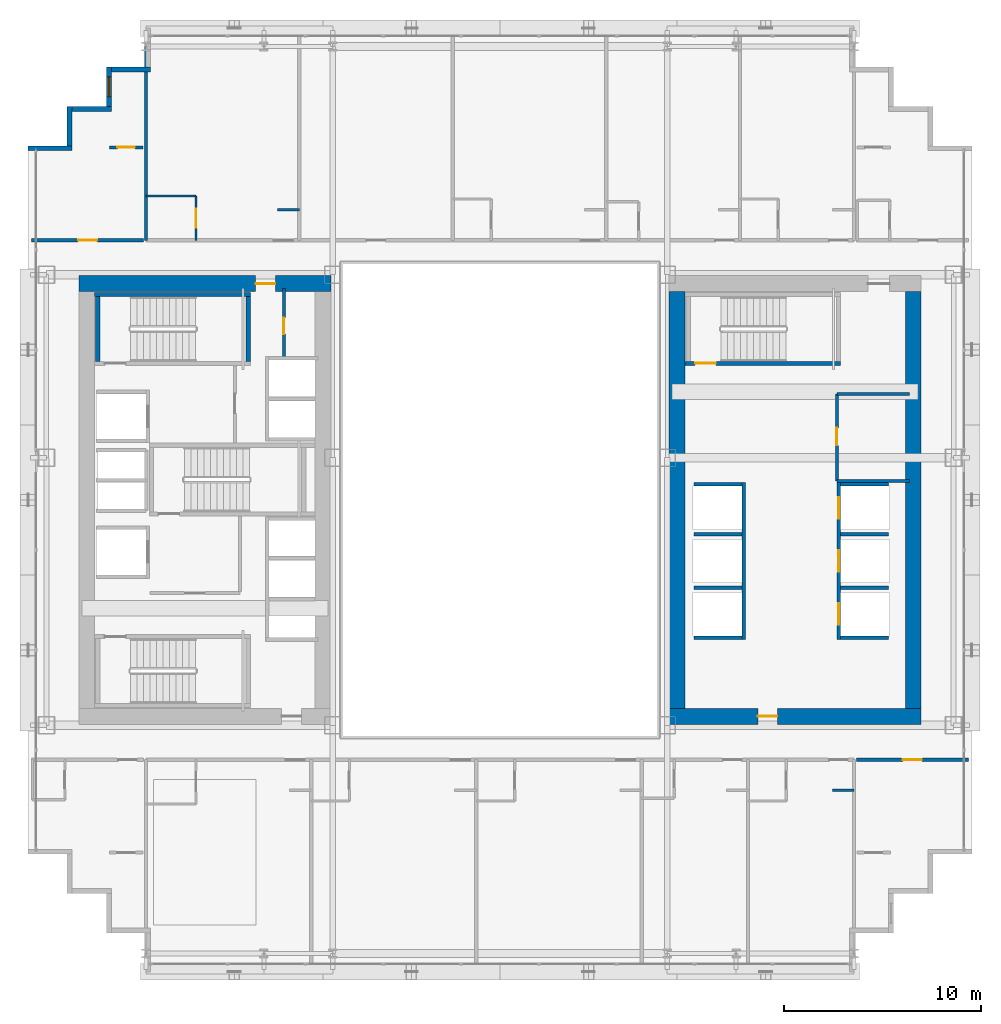
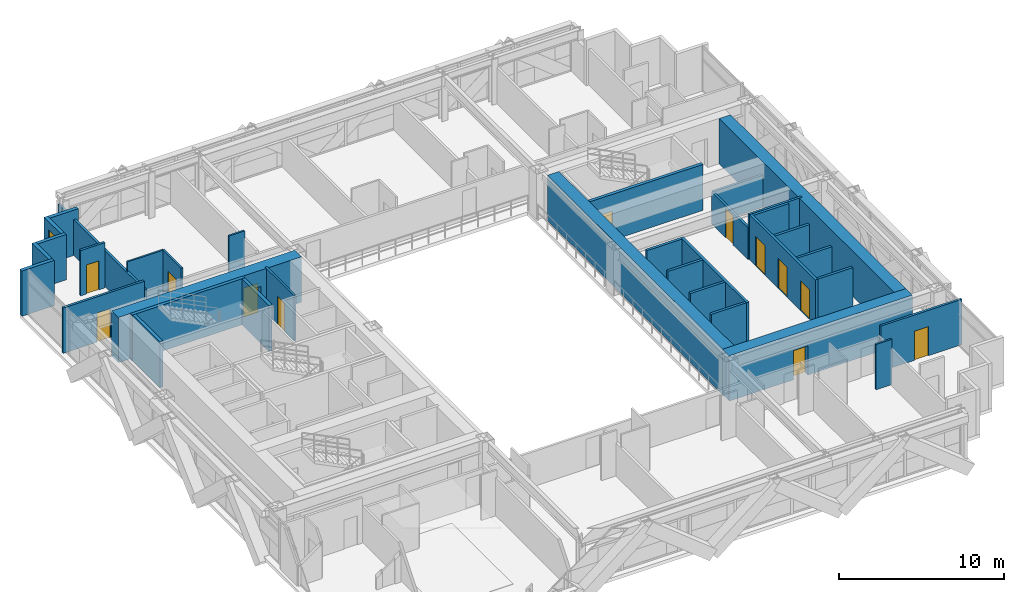
# One storey, part 29 of 35: 35 walls, 12 doors, 1 window, 13 openings.
"""IFC4 building model written with IfcOpenShell, lengths in metres."""

from ifc_helpers import new_model, si_unit, direction, frame, frame_2d, origin, place, context, subcontext, project, spatial, rectangle, extrude, source, transform, mapped, material, layer, layer_set, type_object, element, fill, save


model = new_model("IFC4")

# Units and contexts
model_context = context("Model", 3, precision=1e-05, world=origin(), true_north=direction((0.0, 1.0)))
body_context = subcontext(model_context, "Body", "Model", "MODEL_VIEW")
ifc_project = project(units=[si_unit("LENGTHUNIT", "METRE"), si_unit("AREAUNIT", "SQUARE_METRE"), si_unit("VOLUMEUNIT", "CUBIC_METRE"), si_unit("PLANEANGLEUNIT", "RADIAN"), si_unit("MASSUNIT", "GRAM", prefix="KILO")], contexts=[model_context])

# Site, building, storey
site_placement = place(None, origin())
site = spatial("IfcSite", under=ifc_project, at=site_placement, CompositionType="ELEMENT")
building_placement = place(site_placement, origin())
building = spatial("IfcBuilding", under=site, at=building_placement, Name="Ocotamira Hotel", CompositionType="ELEMENT")
storey_placement = place(building_placement, frame((0.0, 0.0, 56.39990234375)))
storey = spatial("IfcBuildingStorey", under=building, at=storey_placement, Name="L13", CompositionType="ELEMENT", Elevation=56.39990234375)

# Wall, opening, door
ifc_material_1 = material(Name="Concrete C60/75", Category="concrete")
ifc_layer_1 = layer(ifc_material_1, 0.800048828125)
ifc_layer_set_1 = layer_set([ifc_layer_1], Name="Concrete C60/75")
wall_type_1 = type_object("IfcWallType", Name="WL-CORE-800", PredefinedType="SHEAR", material=ifc_layer_set_1)
wall_1_placement = place(storey_placement, frame((10.60009765625, 37.0, 0.0), z_axis=(0.0, 0.0, 1.0), x_axis=(1.0, 0.0, 0.0)))
wall_1 = element("IfcWall", 1, at=wall_1_placement, inside=storey, type_object=wall_type_1, Name="L13 Shear Core Wall WCORE-N", PredefinedType="SHEAR", context=body_context, shape_type="SweptSolid", body=[
    extrude(rectangle(XDim=12.7998046875, YDim=0.800048828125, at=frame_2d((6.39990234375, 0.0))), origin(), (0.0, 0.0, 1.0), 3.35009765625),
])
opening_1_placement = place(wall_1_placement, frame((8.97998046875, 0.0, 0.0)))
opening_1 = element("IfcOpeningElement", 2, at=opening_1_placement, cuts=wall_1, Name="Opening D-FR2", PredefinedType="OPENING", context=body_context, shape_type="SweptSolid", body=[
    extrude(rectangle(XDim=1.0, YDim=2.14990234375, at=frame_2d((0.5, 1.074951171875))), frame((0.0, 0.41015625, 0.0), z_axis=(0.0, -1.0, 0.0), x_axis=(1.0, 0.0, 0.0)), (0.0, 0.0, 1.0), 0.820068359375),
])
ifc_material_2 = material(Name="Fire-rated acoustic timber-veneer door", Category="wood")
door_type_1 = type_object("IfcDoorType", Name="DR-FIRE-1000", OperationType="NOTDEFINED", PredefinedType="DOOR", material=ifc_material_2)
shared_shape_1 = source(origin(), body_context, "Body", "SweptSolid", [
    extrude(rectangle(XDim=1.0, YDim=2.14990234375, at=frame_2d((0.5, 1.074951171875))), frame((0.0, 0.02490234375, 0.0), z_axis=(0.0, -1.0, 0.0), x_axis=(1.0, 0.0, 0.0)), (0.0, 0.0, 1.0), 0.050048828125),
])
door_1_placement = place(opening_1_placement, origin())
door_1 = element("IfcDoor", 3, at=door_1_placement, inside=storey, type_object=door_type_1, Name="L13 Door ID-L13-WLOB-N-D [ID-L13-WLOB-N-D]", OperationType="SINGLE_SWING_RIGHT", OverallHeight=2.14990234375, OverallWidth=1.0, PredefinedType="DOOR", context=body_context, shape_type="MappedRepresentation", body=[
    mapped(shared_shape_1, transform((0.0, 0.0, 0.0), scale=1.0)),
])
fill(opening_1, door_1)

wall_2_placement = place(storey_placement, frame((40.60009765625, 15.0, 0.0), z_axis=(0.0, 0.0, 1.0), x_axis=(1.0, 0.0, 0.0)))
wall_2 = element("IfcWall", 4, at=wall_2_placement, inside=storey, type_object=wall_type_1, Name="L13 Shear Core Wall ECORE-S", PredefinedType="SHEAR", context=body_context, shape_type="SweptSolid", body=[
    extrude(rectangle(XDim=12.7998046875, YDim=0.800048828125, at=frame_2d((6.39990234375, 0.0))), origin(), (0.0, 0.0, 1.0), 3.35009765625),
])
opening_2_placement = place(wall_2_placement, frame((4.5, 0.0, 0.0)))
opening_2 = element("IfcOpeningElement", 5, at=opening_2_placement, cuts=wall_2, Name="Opening D-FR2", PredefinedType="OPENING", context=body_context, shape_type="SweptSolid", body=[
    extrude(rectangle(XDim=1.0, YDim=2.14990234375, at=frame_2d((0.5, 1.074951171875))), frame((0.0, 0.41015625, 0.0), z_axis=(0.0, -1.0, 0.0), x_axis=(1.0, 0.0, 0.0)), (0.0, 0.0, 1.0), 0.820068359375),
])
door_2_placement = place(opening_2_placement, origin())
door_2 = element("IfcDoor", 6, at=door_2_placement, inside=storey, type_object=door_type_1, Name="L13 Door ID-L13-ELOB-S-D [ID-L13-ELOB-S-D]", OperationType="SINGLE_SWING_RIGHT", OverallHeight=2.14990234375, OverallWidth=1.0, PredefinedType="DOOR", context=body_context, shape_type="MappedRepresentation", body=[
    mapped(shared_shape_1, transform((0.0, 0.0, 0.0), scale=1.0)),
])
fill(opening_2, door_2)

# Walls
for number, where, z_axis, x_axis, name in (
    (7, (41.0, 15.39990234375, 0.0), (0.0, 0.0, 1.0), (0.0, 1.0, 0.0), "L13 Shear Core Wall ECORE-W"),
    (8, (53.0, 15.39990234375, 0.0), (0.0, 0.0, 1.0), (0.0, 1.0, 0.0), "L13 Shear Core Wall ECORE-E"),
):
    element("IfcWall", number, at=place(storey_placement, frame(where, z_axis=z_axis, x_axis=x_axis)), inside=storey, type_object=wall_type_1, Name=name, PredefinedType="SHEAR", context=body_context, shape_type="SweptSolid", body=[
        extrude(rectangle(XDim=21.2001953125, YDim=0.800048828125, at=frame_2d((10.60009765625, 0.0))), origin(), (0.0, 0.0, 1.0), 3.35009765625),
    ])
ifc_material_3 = material(Name="Precast concrete C45/55", Category="concrete")
ifc_layer_2 = layer(ifc_material_3, 0.25)
ifc_layer_set_2 = layer_set([ifc_layer_2], Name="Precast concrete C45/55")
wall_type_2 = type_object("IfcWallType", Name="WL-EXT-SER-250", PredefinedType="SOLIDWALL", material=ifc_layer_set_2)
wall_3_placement = place(storey_placement, frame((14.25, 47.875, 0.0), z_axis=(0.0, 0.0, 1.0), x_axis=(-1.0, 0.0, 0.0)))
element("IfcWall", 9, at=wall_3_placement, inside=storey, type_object=wall_type_2, Name="L13 Serrated Corner Wall 14", PredefinedType="SOLIDWALL", context=body_context, shape_type="SweptSolid", body=[
    extrude(rectangle(XDim=2.0, YDim=0.25, at=frame_2d((1.0, 0.0))), origin(), (0.0, 0.0, 1.0), 3.35009765625),
])

# Wall, opening, window
wall_4_placement = place(storey_placement, frame((12.125, 48.0, 0.0), z_axis=(0.0, 0.0, 1.0), x_axis=(0.0, -1.0, 0.0)))
wall_4 = element("IfcWall", 10, at=wall_4_placement, inside=storey, type_object=wall_type_2, Name="L13 Serrated Corner Wall 15", PredefinedType="SOLIDWALL", context=body_context, shape_type="SweptSolid", body=[
    extrude(rectangle(XDim=2.0, YDim=0.25, at=frame_2d((1.0, 0.0))), origin(), (0.0, 0.0, 1.0), 3.35009765625),
])
opening_3_placement = place(wall_4_placement, frame((0.5, 0.0, 0.85009765625)))
opening_3 = element("IfcOpeningElement", 11, at=opening_3_placement, cuts=wall_4, Name="Opening WN-2", PredefinedType="OPENING", context=body_context, shape_type="SweptSolid", body=[
    extrude(rectangle(XDim=1.0, YDim=1.89990234375, at=frame_2d((0.5, 0.949951171875))), frame((0.0, 0.135009765625, 0.0), z_axis=(0.0, -1.0, 0.0), x_axis=(1.0, 0.0, 0.0)), (0.0, 0.0, 1.0), 0.27001953125),
])
ifc_material_4 = material(Name="Double-silver low-E solar glass", Category="glass")
window_type = type_object("IfcWindowType", Name="WIN-SER-1100", PartitioningType="SINGLE_PANEL", PredefinedType="WINDOW", material=ifc_material_4)
shared_shape_2 = source(origin(), body_context, "Body", "SweptSolid", [
    extrude(rectangle(XDim=1.0, YDim=1.89990234375, at=frame_2d((0.5, 0.949951171875))), frame((0.0, 0.030029296875, 0.0), z_axis=(0.0, -1.0, 0.0), x_axis=(1.0, 0.0, 0.0)), (0.0, 0.0, 1.0), 0.06005859375),
])
window_placement = place(opening_3_placement, origin())
window = element("IfcWindow", 12, at=window_placement, inside=storey, type_object=window_type, Name="L13 Serrated Corner Window 15", OverallHeight=1.89990234375, OverallWidth=1.0, PartitioningType="SINGLE_PANEL", PredefinedType="WINDOW", context=body_context, shape_type="MappedRepresentation", body=[
    mapped(shared_shape_2, transform((0.0, 0.0, 0.0), scale=1.0)),
])
fill(opening_3, window)

# Walls
for number, where, z_axis, x_axis, name in (
    (13, (12.25, 45.875, 0.0), (0.0, 0.0, 1.0), (-1.0, 0.0, 0.0), "L13 Serrated Corner Wall 16"),
    (14, (10.125, 46.0, 0.0), (0.0, 0.0, 1.0), (0.0, -1.0, 0.0), "L13 Serrated Corner Wall 17"),
):
    element("IfcWall", number, at=place(storey_placement, frame(where, z_axis=z_axis, x_axis=x_axis)), inside=storey, type_object=wall_type_2, Name=name, PredefinedType="SOLIDWALL", context=body_context, shape_type="SweptSolid", body=[
        extrude(rectangle(XDim=2.0, YDim=0.25, at=frame_2d((1.0, 0.0))), origin(), (0.0, 0.0, 1.0), 3.35009765625),
    ])
wall_5_placement = place(storey_placement, frame((10.25, 43.875, 0.0), z_axis=(0.0, 0.0, 1.0), x_axis=(-1.0, 0.0, 0.0)))
element("IfcWall", 15, at=wall_5_placement, inside=storey, type_object=wall_type_2, Name="L13 Serrated Corner Wall 18", PredefinedType="SOLIDWALL", context=body_context, shape_type="SweptSolid", body=[
    extrude(rectangle(XDim=2.25, YDim=0.25, at=frame_2d((1.125, 0.0))), origin(), (0.0, 0.0, 1.0), 3.35009765625),
])
ifc_material_5 = material(Name="Acoustic double-layer fire gypsum board partition", Category="gypsum")
ifc_layer_3 = layer(ifc_material_5, 0.159912109375)
ifc_layer_set_3 = layer_set([ifc_layer_3], Name="Acoustic double-layer fire gypsum board partition")
wall_type_3 = type_object("IfcWallType", Name="WL-FIRE-160", PredefinedType="PARTITIONING", material=ifc_layer_set_3)
wall_6_placement = place(storey_placement, frame((49.1201171875, 26.969970703125, 0.0), z_axis=(0.0, 0.0, 1.0), x_axis=(1.0, 0.0, 0.0)))
element("IfcWall", 16, at=wall_6_placement, inside=storey, type_object=wall_type_3, Name="L13 Interior Wall PW-L13-EC-NEL-S", PredefinedType="PARTITIONING", context=body_context, shape_type="SweptSolid", body=[
    extrude(rectangle(XDim=3.679931640625, YDim=0.159912109375, at=frame_2d((1.83984375, 0.0))), origin(), (0.0, 0.0, 1.0), 3.35009765625),
])
wall_7_placement = place(storey_placement, frame((49.1201171875, 31.3798828125, 0.0), z_axis=(0.0, 0.0, 1.0), x_axis=(1.0, 0.0, 0.0)))
element("IfcWall", 17, at=wall_7_placement, inside=storey, type_object=wall_type_3, Name="L13 Interior Wall PW-L13-EC-NEL-N", PredefinedType="PARTITIONING", context=body_context, shape_type="SweptSolid", body=[
    extrude(rectangle(XDim=3.679931640625, YDim=0.159912109375, at=frame_2d((1.83984375, 0.0))), origin(), (0.0, 0.0, 1.0), 2.360107421875),
])

# Wall, opening, door
wall_8_placement = place(storey_placement, frame((49.1201171875, 26.969970703125, 0.0), z_axis=(0.0, 0.0, 1.0), x_axis=(0.0, 1.0, 0.0)))
wall_8 = element("IfcWall", 18, at=wall_8_placement, inside=storey, type_object=wall_type_3, Name="L13 Interior Wall PW-L13-EC-NEL-W", PredefinedType="PARTITIONING", context=body_context, shape_type="SweptSolid", body=[
    extrude(rectangle(XDim=4.409912109375, YDim=0.159912109375, at=frame_2d((2.205078125, 0.0))), origin(), (0.0, 0.0, 1.0), 2.360107421875),
])
opening_4_placement = place(wall_8_placement, frame((1.800048828125, 0.0, 0.0)))
opening_4 = element("IfcOpeningElement", 19, at=opening_4_placement, cuts=wall_8, Name="Opening D-IN3", PredefinedType="OPENING", context=body_context, shape_type="SweptSolid", body=[
    extrude(rectangle(XDim=0.89990234375, YDim=2.14990234375, at=frame_2d((0.449951171875, 1.074951171875))), frame((0.0, 0.08984375, 0.0), z_axis=(0.0, -1.0, 0.0), x_axis=(1.0, 0.0, 0.0)), (0.0, 0.0, 1.0), 0.179931640625),
])
ifc_material_6 = material(Name="Painted service room door", Category="steel")
door_type_2 = type_object("IfcDoorType", Name="DR-INT-900", OperationType="NOTDEFINED", PredefinedType="DOOR", material=ifc_material_6)
shared_shape_3 = source(origin(), body_context, "Body", "SweptSolid", [
    extrude(rectangle(XDim=0.89990234375, YDim=2.14990234375, at=frame_2d((0.449951171875, 1.074951171875))), frame((0.0, 0.02490234375, 0.0), z_axis=(0.0, -1.0, 0.0), x_axis=(1.0, 0.0, 0.0)), (0.0, 0.0, 1.0), 0.050048828125),
])
door_3_placement = place(opening_4_placement, origin())
door_3 = element("IfcDoor", 20, at=door_3_placement, inside=storey, type_object=door_type_2, Name="L13 Door ID-L13-EC-NEL-D [ID-L13-EC-NEL-D]", OperationType="SINGLE_SWING_RIGHT", OverallHeight=2.14990234375, OverallWidth=0.89990234375, PredefinedType="DOOR", context=body_context, shape_type="MappedRepresentation", body=[
    mapped(shared_shape_3, transform((0.0, 0.0, 0.0), scale=1.0)),
])
fill(opening_4, door_3)

wall_9_placement = place(storey_placement, frame((50.1201171875, 12.800048828125, 0.0), z_axis=(0.0, 0.0, 1.0), x_axis=(1.0, 0.0, 0.0)))
wall_9 = element("IfcWall", 21, at=wall_9_placement, inside=storey, type_object=wall_type_3, Name="L13 Interior Wall PW-L13-Z1C-CSE-CW", PredefinedType="PARTITIONING", context=body_context, shape_type="SweptSolid", body=[
    extrude(rectangle(XDim=5.679931640625, YDim=0.159912109375, at=frame_2d((2.83984375, 0.0))), origin(), (0.0, 0.0, 1.0), 3.35009765625),
])
opening_5_placement = place(wall_9_placement, frame((2.360107421875, 0.0, 0.0)))
opening_5 = element("IfcOpeningElement", 22, at=opening_5_placement, cuts=wall_9, Name="Opening D-SV4", PredefinedType="OPENING", context=body_context, shape_type="SweptSolid", body=[
    extrude(rectangle(XDim=0.9599609375, YDim=2.14990234375, at=frame_2d((0.47998046875, 1.074951171875))), frame((0.0, 0.08984375, 0.0), z_axis=(0.0, -1.0, 0.0), x_axis=(1.0, 0.0, 0.0)), (0.0, 0.0, 1.0), 0.179931640625),
])
ifc_material_7 = material(Name="Fire-rated accessible walnut salon door", Category="wood")
door_type_3 = type_object("IfcDoorType", Name="DR-SERV-960", OperationType="NOTDEFINED", PredefinedType="DOOR", material=ifc_material_7)
shared_shape_4 = source(origin(), body_context, "Body", "SweptSolid", [
    extrude(rectangle(XDim=0.9599609375, YDim=2.14990234375, at=frame_2d((0.47998046875, 1.074951171875))), frame((0.0, 0.02490234375, 0.0), z_axis=(0.0, -1.0, 0.0), x_axis=(1.0, 0.0, 0.0)), (0.0, 0.0, 1.0), 0.050048828125),
])
door_4_placement = place(opening_5_placement, origin())
door_4 = element("IfcDoor", 23, at=door_4_placement, inside=storey, type_object=door_type_3, Name="L13 Door ID-L13-Z1C-CSE-CD [ID-L13-Z1C-CSE-CD]", OperationType="SINGLE_SWING_LEFT", OverallHeight=2.14990234375, OverallWidth=0.9599609375, PredefinedType="DOOR", context=body_context, shape_type="MappedRepresentation", body=[
    mapped(shared_shape_4, transform((0.0, 0.0, 0.0), scale=1.0)),
])
fill(opening_5, door_4)

wall_10_placement = place(storey_placement, frame((8.199951171875, 39.199951171875, 0.0), z_axis=(0.0, 0.0, 1.0), x_axis=(1.0, 0.0, 0.0)))
wall_10 = element("IfcWall", 24, at=wall_10_placement, inside=storey, type_object=wall_type_3, Name="L13 Interior Wall PW-L13-Z1C-CNW-CW", PredefinedType="PARTITIONING", context=body_context, shape_type="SweptSolid", body=[
    extrude(rectangle(XDim=5.679931640625, YDim=0.159912109375, at=frame_2d((2.83984375, 0.0))), origin(), (0.0, 0.0, 1.0), 3.35009765625),
])
opening_6_placement = place(wall_10_placement, frame((2.360107421875, 0.0, 0.0)))
opening_6 = element("IfcOpeningElement", 25, at=opening_6_placement, cuts=wall_10, Name="Opening D-SV4", PredefinedType="OPENING", context=body_context, shape_type="SweptSolid", body=[
    extrude(rectangle(XDim=0.9599609375, YDim=2.14990234375, at=frame_2d((0.47998046875, 1.074951171875))), frame((0.0, 0.08984375, 0.0), z_axis=(0.0, -1.0, 0.0), x_axis=(1.0, 0.0, 0.0)), (0.0, 0.0, 1.0), 0.179931640625),
])
door_5_placement = place(opening_6_placement, origin())
door_5 = element("IfcDoor", 26, at=door_5_placement, inside=storey, type_object=door_type_3, Name="L13 Door ID-L13-Z1C-CNW-CD [ID-L13-Z1C-CNW-CD]", OperationType="SINGLE_SWING_LEFT", OverallHeight=2.14990234375, OverallWidth=0.9599609375, PredefinedType="DOOR", context=body_context, shape_type="MappedRepresentation", body=[
    mapped(shared_shape_4, transform((0.0, 0.0, 0.0), scale=1.0)),
])
fill(opening_6, door_5)

wall_11_placement = place(storey_placement, frame((12.14990234375, 43.919921875, 0.0), z_axis=(0.0, 0.0, 1.0), x_axis=(1.0, 0.0, 0.0)))
wall_11 = element("IfcWall", 27, at=wall_11_placement, inside=storey, type_object=wall_type_3, Name="L13 Interior Wall PW-L13-Z1C-CNW2-CW", PredefinedType="PARTITIONING", context=body_context, shape_type="SweptSolid", body=[
    extrude(rectangle(XDim=1.7001953125, YDim=0.159912109375, at=frame_2d((0.85009765625, 0.0))), origin(), (0.0, 0.0, 1.0), 3.35009765625),
])
opening_7_placement = place(wall_11_placement, frame((0.409912109375, 0.0, 0.0)))
opening_7 = element("IfcOpeningElement", 28, at=opening_7_placement, cuts=wall_11, Name="Opening D-SV2", PredefinedType="OPENING", context=body_context, shape_type="SweptSolid", body=[
    extrude(rectangle(XDim=0.8798828125, YDim=2.14990234375, at=frame_2d((0.43994140625, 1.074951171875))), frame((0.0, 0.08984375, 0.0), z_axis=(0.0, -1.0, 0.0), x_axis=(1.0, 0.0, 0.0)), (0.0, 0.0, 1.0), 0.179931640625),
])
ifc_material_8 = material(Name="Fire-rated painted steel service door", Category="steel")
door_type_4 = type_object("IfcDoorType", Name="DR-SERV-880", OperationType="NOTDEFINED", PredefinedType="DOOR", material=ifc_material_8)
shared_shape_5 = source(origin(), body_context, "Body", "SweptSolid", [
    extrude(rectangle(XDim=0.8798828125, YDim=2.14990234375, at=frame_2d((0.43994140625, 1.074951171875))), frame((0.0, 0.02490234375, 0.0), z_axis=(0.0, -1.0, 0.0), x_axis=(1.0, 0.0, 0.0)), (0.0, 0.0, 1.0), 0.050048828125),
])
door_6_placement = place(opening_7_placement, origin())
door_6 = element("IfcDoor", 29, at=door_6_placement, inside=storey, type_object=door_type_4, Name="L13 Door ID-L13-Z1C-CNW2-CD [ID-L13-Z1C-CNW2-CD]", OperationType="SINGLE_SWING_LEFT", OverallHeight=2.14990234375, OverallWidth=0.8798828125, PredefinedType="DOOR", context=body_context, shape_type="MappedRepresentation", body=[
    mapped(shared_shape_5, transform((0.0, 0.0, 0.0), scale=1.0)),
])
fill(opening_7, door_6)

# Wall
ifc_material_9 = material(Name="Moisture-resistant en-suite tile and gypsum partition", Category="gypsum")
ifc_layer_4 = layer(ifc_material_9, 0.1201171875)
ifc_layer_set_4 = layer_set([ifc_layer_4], Name="Moisture-resistant en-suite tile and gypsum partition")
wall_type_4 = type_object("IfcWallType", Name="WL-PART-120", PredefinedType="PARTITIONING", material=ifc_layer_set_4)
wall_12_placement = place(storey_placement, frame((48.89990234375, 11.25, 0.0), z_axis=(0.0, 0.0, 1.0), x_axis=(1.0, 0.0, 0.0)))
element("IfcWall", 30, at=wall_12_placement, inside=storey, type_object=wall_type_4, Name="L13 Interior Wall PW-L13-Z1CS-DRN5", PredefinedType="PARTITIONING", context=body_context, shape_type="SweptSolid", body=[
    extrude(rectangle(XDim=1.10009765625, YDim=0.1201171875, at=frame_2d((0.550048828125, 0.0))), origin(), (0.0, 0.0, 1.0), 3.35009765625),
])

# Wall, opening, door
wall_13_placement = place(storey_placement, frame((16.550048828125, 39.199951171875, 0.0), z_axis=(0.0, 0.0, 1.0), x_axis=(0.0, 1.0, 0.0)))
wall_13 = element("IfcWall", 31, at=wall_13_placement, inside=storey, type_object=wall_type_4, Name="L13 Interior Wall PW-L13-Z1CN-BAE1", PredefinedType="PARTITIONING", context=body_context, shape_type="SweptSolid", body=[
    extrude(rectangle(XDim=2.25, YDim=0.1201171875, at=frame_2d((1.125, 0.0))), origin(), (0.0, 0.0, 1.0), 3.35009765625),
])
opening_8_placement = place(wall_13_placement, frame((0.64501953125, 0.0, 0.0)))
opening_8 = element("IfcOpeningElement", 32, at=opening_8_placement, cuts=wall_13, Name="Opening D-IN1", PredefinedType="OPENING", context=body_context, shape_type="SweptSolid", body=[
    extrude(rectangle(XDim=0.9599609375, YDim=2.14990234375, at=frame_2d((0.47998046875, 1.074951171875))), frame((0.0, 0.070068359375, 0.0), z_axis=(0.0, -1.0, 0.0), x_axis=(1.0, 0.0, 0.0)), (0.0, 0.0, 1.0), 0.14013671875),
])
ifc_material_10 = material(Name="Accessible walnut interior room door", Category="wood")
door_type_5 = type_object("IfcDoorType", Name="DR-INT-960", OperationType="NOTDEFINED", PredefinedType="DOOR", material=ifc_material_10)
door_7_placement = place(opening_8_placement, origin())
door_7 = element("IfcDoor", 33, at=door_7_placement, inside=storey, type_object=door_type_5, Name="L13 Door ID-L13-Z1CN-BAD1 [ID-L13-Z1CN-BAD1]", OperationType="SINGLE_SWING_RIGHT", OverallHeight=2.14990234375, OverallWidth=0.9599609375, PredefinedType="DOOR", context=body_context, shape_type="MappedRepresentation", body=[
    mapped(shared_shape_4, transform((0.0, 0.0, 0.0), scale=1.0)),
])
fill(opening_8, door_7)

# Walls
wall_14_placement = place(storey_placement, frame((14.0, 41.449951171875, 0.0), z_axis=(0.0, 0.0, 1.0), x_axis=(1.0, 0.0, 0.0)))
element("IfcWall", 34, at=wall_14_placement, inside=storey, type_object=wall_type_4, Name="L13 Interior Wall PW-L13-Z1CN-BAN1", PredefinedType="PARTITIONING", context=body_context, shape_type="SweptSolid", body=[
    extrude(rectangle(XDim=2.550048828125, YDim=0.1201171875, at=frame_2d((1.27490234375, 0.0))), origin(), (0.0, 0.0, 1.0), 3.35009765625),
])
wall_15_placement = place(storey_placement, frame((20.699951171875, 40.75, 0.0), z_axis=(0.0, 0.0, 1.0), x_axis=(1.0, 0.0, 0.0)))
element("IfcWall", 35, at=wall_15_placement, inside=storey, type_object=wall_type_4, Name="L13 Interior Wall PW-L13-Z1CN-DRN1", PredefinedType="PARTITIONING", context=body_context, shape_type="SweptSolid", body=[
    extrude(rectangle(XDim=1.10009765625, YDim=0.1201171875, at=frame_2d((0.550048828125, 0.0))), origin(), (0.0, 0.0, 1.0), 3.35009765625),
])

# Wall, opening, door
ifc_material_11 = material(Name="Acoustic hospitality gypsum board partition", Category="gypsum")
ifc_layer_5 = layer(ifc_material_11, 0.14208984375)
ifc_layer_set_5 = layer_set([ifc_layer_5], Name="Acoustic hospitality gypsum board partition")
wall_type_5 = type_object("IfcWallType", Name="WL-PART-142", PredefinedType="PARTITIONING", material=ifc_layer_set_5)
wall_16_placement = place(storey_placement, frame((21.02001953125, 33.280029296875, 0.0), z_axis=(0.0, 0.0, 1.0), x_axis=(0.0, 1.0, 0.0)))
wall_16 = element("IfcWall", 36, at=wall_16_placement, inside=storey, type_object=wall_type_5, Name="L13 Interior Wall PW-L13-WC-NE-W", PredefinedType="PARTITIONING", context=body_context, shape_type="SweptSolid", body=[
    extrude(rectangle(XDim=3.469970703125, YDim=0.14208984375, at=frame_2d((1.73486328125, 0.0))), origin(), (0.0, 0.0, 1.0), 3.35009765625),
])
opening_9_placement = place(wall_16_placement, frame((1.14990234375, 0.0, 0.0)))
opening_9 = element("IfcOpeningElement", 37, at=opening_9_placement, cuts=wall_16, Name="Opening D-SV1", PredefinedType="OPENING", context=body_context, shape_type="SweptSolid", body=[
    extrude(rectangle(XDim=0.840087890625, YDim=2.10009765625, at=frame_2d((0.419921875, 1.050048828125))), frame((0.0, 0.0810546875, 0.0), z_axis=(0.0, -1.0, 0.0), x_axis=(1.0, 0.0, 0.0)), (0.0, 0.0, 1.0), 0.162109375),
])
door_type_6 = type_object("IfcDoorType", Name="DR-SERV-840", OperationType="NOTDEFINED", PredefinedType="DOOR", material=ifc_material_8)
shared_shape_6 = source(origin(), body_context, "Body", "SweptSolid", [
    extrude(rectangle(XDim=0.840087890625, YDim=2.10009765625, at=frame_2d((0.419921875, 1.050048828125))), frame((0.0, 0.02490234375, 0.0), z_axis=(0.0, -1.0, 0.0), x_axis=(1.0, 0.0, 0.0)), (0.0, 0.0, 1.0), 0.050048828125),
])
door_8_placement = place(opening_9_placement, origin())
door_8 = element("IfcDoor", 38, at=door_8_placement, inside=storey, type_object=door_type_6, Name="L13 Door ID-L13-WC-NE-D [ID-L13-WC-NE-D]", OperationType="SINGLE_SWING_LEFT", OverallHeight=2.10009765625, OverallWidth=0.840087890625, PredefinedType="DOOR", context=body_context, shape_type="MappedRepresentation", body=[
    mapped(shared_shape_6, transform((0.0, 0.0, 0.0), scale=1.0)),
])
fill(opening_9, door_8)

# Wall
ifc_material_12 = material(Name="Acoustic double-stud hospitality gypsum partition", Category="gypsum")
ifc_layer_6 = layer(ifc_material_12, 0.159912109375)
ifc_layer_set_6 = layer_set([ifc_layer_6], Name="Acoustic double-stud hospitality gypsum partition")
wall_type_6 = type_object("IfcWallType", Name="WL-PART-160", PredefinedType="PARTITIONING", material=ifc_layer_set_6)
wall_17_placement = place(storey_placement, frame((14.0, 39.199951171875, 0.0), z_axis=(0.0, 0.0, 1.0), x_axis=(0.0, 1.0, 0.0)))
element("IfcWall", 39, at=wall_17_placement, inside=storey, type_object=wall_type_6, Name="L13 Interior Wall PW-L13-Z1CN-PW0", PredefinedType="PARTITIONING", context=body_context, shape_type="SweptSolid", body=[
    extrude(rectangle(XDim=10.43994140625, YDim=0.159912109375, at=frame_2d((5.219970703125, 0.0))), origin(), (0.0, 0.0, 1.0), 2.656982421875),
])

# Wall, openings, doors
ifc_material_13 = material(Name="Fire-rated gypsum shaftliner board assembly", Category="gypsum")
ifc_layer_7 = layer(ifc_material_13, 0.179931640625)
ifc_layer_set_7 = layer_set([ifc_layer_7], Name="Fire-rated gypsum shaftliner board assembly")
wall_type_7 = type_object("IfcWallType", Name="WL-SHAFT-180", PredefinedType="SOLIDWALL", material=ifc_layer_set_7)
wall_18_placement = place(storey_placement, frame((49.2099609375, 18.919921875, 0.0), z_axis=(0.0, 0.0, 1.0), x_axis=(0.0, 1.0, 0.0)))
wall_18 = element("IfcWall", 40, at=wall_18_placement, inside=storey, type_object=wall_type_7, Name="L13 Interior Wall PW-L13-LFW-BANK-low-F", PredefinedType="SOLIDWALL", context=body_context, shape_type="SweptSolid", body=[
    extrude(rectangle(XDim=7.9599609375, YDim=0.179931640625, at=frame_2d((3.97998046875, 0.0))), origin(), (0.0, 0.0, 1.0), 3.35009765625),
])
opening_10_placement = place(wall_18_placement, frame((0.72998046875, 0.0, 0.0)))
opening_10 = element("IfcOpeningElement", 41, at=opening_10_placement, cuts=wall_18, Name="Opening LD-LF-P1", PredefinedType="OPENING", context=body_context, shape_type="SweptSolid", body=[
    extrude(rectangle(XDim=1.10009765625, YDim=2.199951171875, at=frame_2d((0.550048828125, 1.10009765625))), frame((0.0, 0.10009765625, 0.0), z_axis=(0.0, -1.0, 0.0), x_axis=(1.0, 0.0, 0.0)), (0.0, 0.0, 1.0), 0.199951171875),
])
opening_11_placement = place(wall_18_placement, frame((3.429931640625, 0.0, 0.0)))
opening_11 = element("IfcOpeningElement", 42, at=opening_11_placement, cuts=wall_18, Name="Opening LD-LF-P2", PredefinedType="OPENING", context=body_context, shape_type="SweptSolid", body=[
    extrude(rectangle(XDim=1.10009765625, YDim=2.199951171875, at=frame_2d((0.550048828125, 1.10009765625))), frame((0.0, 0.10009765625, 0.0), z_axis=(0.0, -1.0, 0.0), x_axis=(1.0, 0.0, 0.0)), (0.0, 0.0, 1.0), 0.199951171875),
])
opening_12_placement = place(wall_18_placement, frame((6.1298828125, 0.0, 0.0)))
opening_12 = element("IfcOpeningElement", 43, at=opening_12_placement, cuts=wall_18, Name="Opening LD-LF-P3", PredefinedType="OPENING", context=body_context, shape_type="SweptSolid", body=[
    extrude(rectangle(XDim=1.10009765625, YDim=2.199951171875, at=frame_2d((0.550048828125, 1.10009765625))), frame((0.0, 0.10009765625, 0.0), z_axis=(0.0, -1.0, 0.0), x_axis=(1.0, 0.0, 0.0)), (0.0, 0.0, 1.0), 0.199951171875),
])
ifc_material_14 = material(Name="Brushed pale-metal stainless elevator landing door", Category="steel")
door_type_7 = type_object("IfcDoorType", Name="DR-LIFT-1100", OperationType="NOTDEFINED", PredefinedType="DOOR", material=ifc_material_14)
shared_shape_7 = source(origin(), body_context, "Body", "SweptSolid", [
    extrude(rectangle(XDim=1.10009765625, YDim=2.199951171875, at=frame_2d((0.550048828125, 1.10009765625))), frame((0.0, 0.02490234375, 0.0), z_axis=(0.0, -1.0, 0.0), x_axis=(1.0, 0.0, 0.0)), (0.0, 0.0, 1.0), 0.050048828125),
])
door_9_placement = place(opening_10_placement, origin())
door_9 = element("IfcDoor", 44, at=door_9_placement, inside=storey, type_object=door_type_7, Name="L13 Landing Door LD-LF-P1 [ID-L13-LD-LF-P1]", OperationType="DOUBLE_DOOR_SLIDING", OverallHeight=2.199951171875, OverallWidth=1.10009765625, PredefinedType="DOOR", context=body_context, shape_type="MappedRepresentation", body=[
    mapped(shared_shape_7, transform((0.0, 0.0, 0.0), scale=1.0)),
])
fill(opening_10, door_9)
door_10_placement = place(opening_11_placement, origin())
door_10 = element("IfcDoor", 45, at=door_10_placement, inside=storey, type_object=door_type_7, Name="L13 Landing Door LD-LF-P2 [ID-L13-LD-LF-P2]", OperationType="DOUBLE_DOOR_SLIDING", OverallHeight=2.199951171875, OverallWidth=1.10009765625, PredefinedType="DOOR", context=body_context, shape_type="MappedRepresentation", body=[
    mapped(shared_shape_7, transform((0.0, 0.0, 0.0), scale=1.0)),
])
fill(opening_11, door_10)
door_11_placement = place(opening_12_placement, origin())
door_11 = element("IfcDoor", 46, at=door_11_placement, inside=storey, type_object=door_type_7, Name="L13 Landing Door LD-LF-P3 [ID-L13-LD-LF-P3]", OperationType="DOUBLE_DOOR_SLIDING", OverallHeight=2.199951171875, OverallWidth=1.10009765625, PredefinedType="DOOR", context=body_context, shape_type="MappedRepresentation", body=[
    mapped(shared_shape_7, transform((0.0, 0.0, 0.0), scale=1.0)),
])
fill(opening_12, door_11)

# Walls
for number, where, z_axis, x_axis, name in (
    (47, (49.300048828125, 19.010009765625, 0.0), (0.0, 0.0, 1.0), (1.0, 0.0, 0.0), "L13 Interior Wall PW-L13-LFW-BANK-low-S"),
    (48, (49.300048828125, 26.7900390625, 0.0), (0.0, 0.0, 1.0), (1.0, 0.0, 0.0), "L13 Interior Wall PW-L13-LFW-BANK-low-N"),
    (49, (49.300048828125, 21.550048828125, 0.0), (0.0, 0.0, 1.0), (1.0, 0.0, 0.0), "L13 Interior Wall PW-L13-LFW-DIV-LF-P1"),
    (50, (49.300048828125, 24.25, 0.0), (0.0, 0.0, 1.0), (1.0, 0.0, 0.0), "L13 Interior Wall PW-L13-LFW-DIV-LF-P2"),
):
    element("IfcWall", number, at=place(storey_placement, frame(where, z_axis=z_axis, x_axis=x_axis)), inside=storey, type_object=wall_type_7, Name=name, PredefinedType="SOLIDWALL", context=body_context, shape_type="SweptSolid", body=[
        extrude(rectangle(XDim=2.449951171875, YDim=0.179931640625, at=frame_2d((1.22509765625, 0.0))), origin(), (0.0, 0.0, 1.0), 3.35009765625),
    ])
wall_19_placement = place(storey_placement, frame((44.389892578125, 18.919921875, 0.0), z_axis=(0.0, 0.0, 1.0), x_axis=(0.0, 1.0, 0.0)))
element("IfcWall", 51, at=wall_19_placement, inside=storey, type_object=wall_type_7, Name="L13 Interior Wall PW-L13-LFW-BANK-mid-F", PredefinedType="SOLIDWALL", context=body_context, shape_type="SweptSolid", body=[
    extrude(rectangle(XDim=7.9599609375, YDim=0.179931640625, at=frame_2d((3.97998046875, 0.0))), origin(), (0.0, 0.0, 1.0), 3.35009765625),
])
for number, where, z_axis, x_axis, name in (
    (52, (41.85009765625, 19.010009765625, 0.0), (0.0, 0.0, 1.0), (1.0, 0.0, 0.0), "L13 Interior Wall PW-L13-LFW-BANK-mid-S"),
    (53, (41.85009765625, 26.7900390625, 0.0), (0.0, 0.0, 1.0), (1.0, 0.0, 0.0), "L13 Interior Wall PW-L13-LFW-BANK-mid-N"),
    (54, (41.85009765625, 21.550048828125, 0.0), (0.0, 0.0, 1.0), (1.0, 0.0, 0.0), "L13 Interior Wall PW-L13-LFW-DIV-LF-P4"),
    (55, (41.85009765625, 24.25, 0.0), (0.0, 0.0, 1.0), (1.0, 0.0, 0.0), "L13 Interior Wall PW-L13-LFW-DIV-LF-P5"),
):
    element("IfcWall", number, at=place(storey_placement, frame(where, z_axis=z_axis, x_axis=x_axis)), inside=storey, type_object=wall_type_7, Name=name, PredefinedType="SOLIDWALL", context=body_context, shape_type="SweptSolid", body=[
        extrude(rectangle(XDim=2.449951171875, YDim=0.179931640625, at=frame_2d((1.22509765625, 0.0))), origin(), (0.0, 0.0, 1.0), 3.35009765625),
    ])
ifc_material_15 = material(Name="Concrete C50/60", Category="concrete")
ifc_layer_8 = layer(ifc_material_15, 0.219970703125)
ifc_layer_set_8 = layer_set([ifc_layer_8], Name="Concrete C50/60")
wall_type_8 = type_object("IfcWallType", Name="WL-STAIR-220", PredefinedType="SHEAR", material=ifc_layer_set_8)
wall_20_placement = place(storey_placement, frame((11.39990234375, 36.43994140625, 0.0), z_axis=(0.0, 0.0, 1.0), x_axis=(1.0, 0.0, 0.0)))
element("IfcWall", 56, at=wall_20_placement, inside=storey, type_object=wall_type_8, Name="L13 Stair Shaft Structural Wall ST-2-N", PredefinedType="SHEAR", context=body_context, shape_type="SweptSolid", body=[
    extrude(rectangle(XDim=7.91015625, YDim=0.219970703125, at=frame_2d((3.955078125, 0.0))), origin(), (0.0, 0.0, 1.0), 3.400146484375),
])
for number, where, z_axis, x_axis, name in (
    (57, (11.56005859375, 33.050048828125, 0.0), (0.0, 0.0, 1.0), (0.0, 1.0, 0.0), "L13 Stair Shaft Structural Wall ST-2-W"),
    (58, (19.199951171875, 33.050048828125, 0.0), (0.0, 0.0, 1.0), (0.0, 1.0, 0.0), "L13 Stair Shaft Structural Wall ST-2-E"),
):
    element("IfcWall", number, at=place(storey_placement, frame(where, z_axis=z_axis, x_axis=x_axis)), inside=storey, type_object=wall_type_8, Name=name, PredefinedType="SHEAR", context=body_context, shape_type="SweptSolid", body=[
        extrude(rectangle(XDim=3.280029296875, YDim=0.219970703125, at=frame_2d((1.64013671875, 0.0))), origin(), (0.0, 0.0, 1.0), 3.400146484375),
    ])

# Wall, opening, door
wall_21_placement = place(storey_placement, frame((41.39990234375, 32.93994140625, 0.0), z_axis=(0.0, 0.0, 1.0), x_axis=(1.0, 0.0, 0.0)))
wall_21 = element("IfcWall", 59, at=wall_21_placement, inside=storey, type_object=wall_type_8, Name="L13 Stair Shaft Structural Wall ST-4-S", PredefinedType="SHEAR", context=body_context, shape_type="SweptSolid", body=[
    extrude(rectangle(XDim=7.91015625, YDim=0.219970703125, at=frame_2d((3.955078125, 0.0))), origin(), (0.0, 0.0, 1.0), 3.400146484375),
])
opening_13_placement = place(wall_21_placement, frame((0.52001953125, 0.0, 0.0)))
opening_13 = element("IfcOpeningElement", 60, at=opening_13_placement, cuts=wall_21, Name="Opening D-ST2", PredefinedType="OPENING", context=body_context, shape_type="SweptSolid", body=[
    extrude(rectangle(XDim=1.050048828125, YDim=2.14990234375, at=frame_2d((0.52490234375, 1.074951171875))), frame((0.0, 0.1201171875, 0.0), z_axis=(0.0, -1.0, 0.0), x_axis=(1.0, 0.0, 0.0)), (0.0, 0.0, 1.0), 0.239990234375),
])
ifc_material_16 = material(Name="Insulated painted hollow-metal fire exit door", Category="steel")
door_type_8 = type_object("IfcDoorType", Name="DR-STAIR-1050", OperationType="NOTDEFINED", PredefinedType="DOOR", material=ifc_material_16)
shared_shape_8 = source(origin(), body_context, "Body", "SweptSolid", [
    extrude(rectangle(XDim=1.050048828125, YDim=2.14990234375, at=frame_2d((0.52490234375, 1.074951171875))), frame((0.0, 0.02490234375, 0.0), z_axis=(0.0, -1.0, 0.0), x_axis=(1.0, 0.0, 0.0)), (0.0, 0.0, 1.0), 0.050048828125),
])
door_12_placement = place(opening_13_placement, origin())
door_12 = element("IfcDoor", 61, at=door_12_placement, inside=storey, type_object=door_type_8, Name="L13 Door ID-L13-STD-ST-4 [ID-L13-STD-ST-4]", OperationType="SINGLE_SWING_LEFT", OverallHeight=2.14990234375, OverallWidth=1.050048828125, PredefinedType="DOOR", context=body_context, shape_type="MappedRepresentation", body=[
    mapped(shared_shape_8, transform((0.0, 0.0, 0.0), scale=1.0)),
])
fill(opening_13, door_12)

save(model, "model.ifc")
